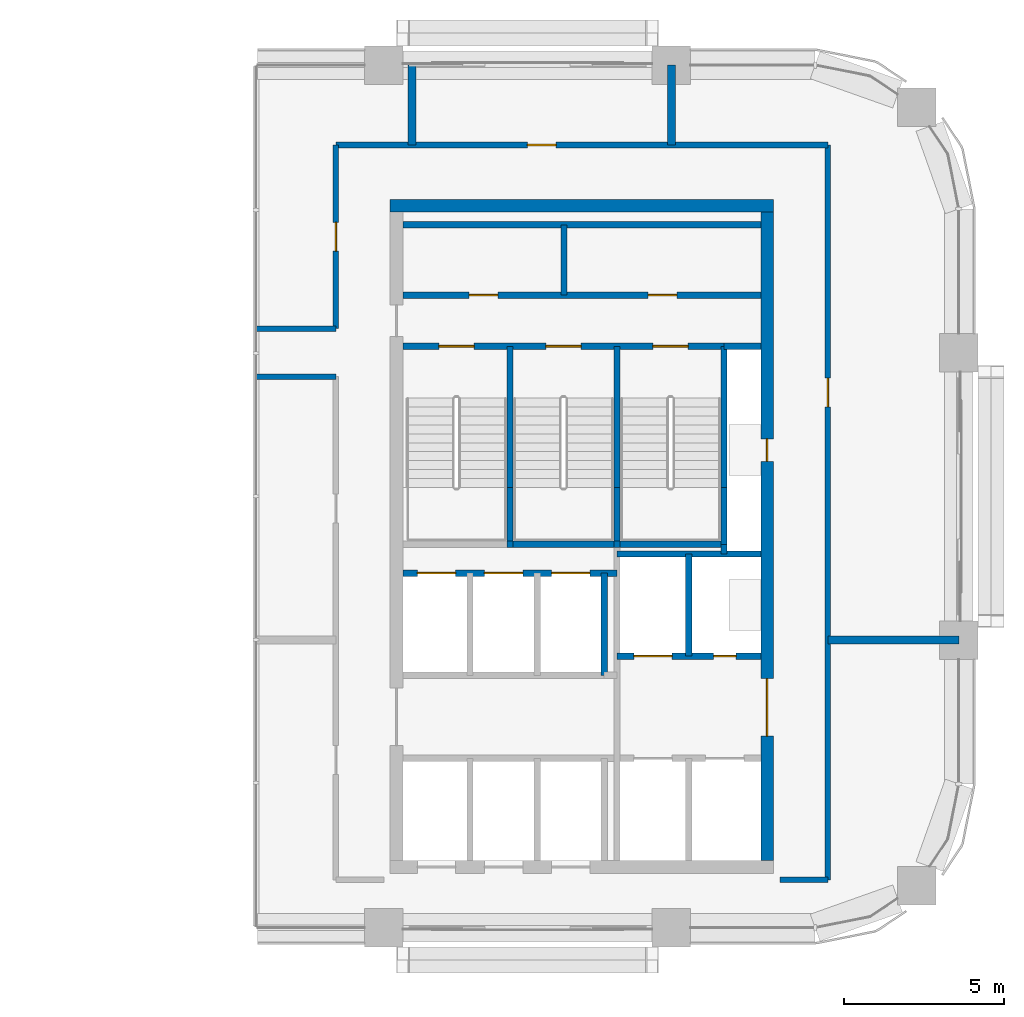
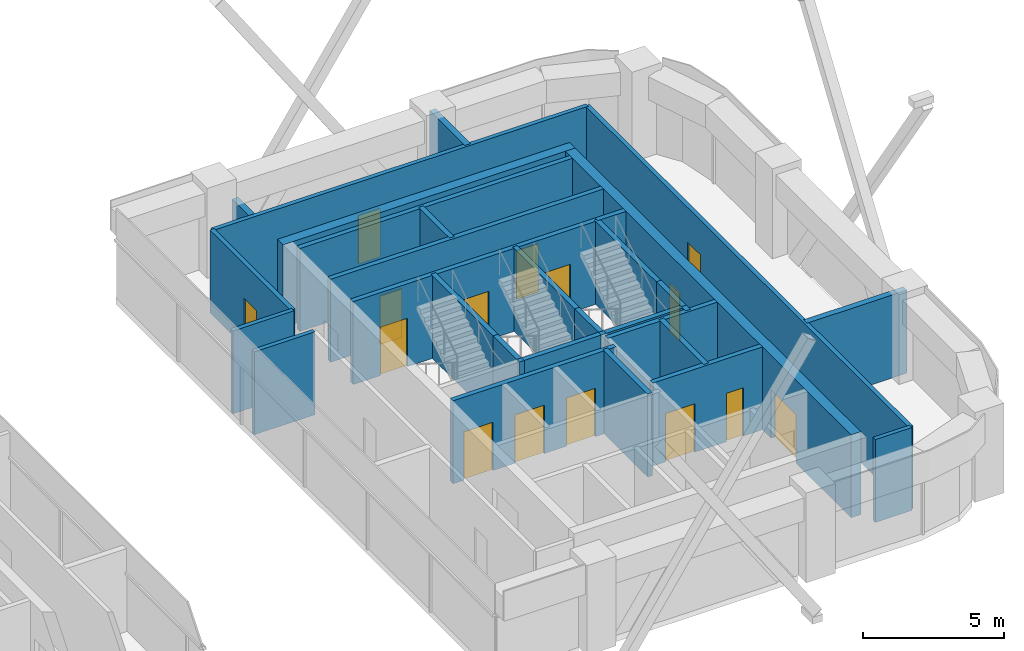
# One storey, part 11 of 14: 32 walls, 15 doors, 15 openings.
"""IFC4 building model written with IfcOpenShell, lengths in metres."""

from ifc_helpers import new_model, si_unit, direction, frame, frame_2d, origin, place, context, subcontext, project, spatial, rectangle, extrude, material, layer, layer_set, type_object, element, fill, save


model = new_model("IFC4")

# Units and contexts
model_context = context("Model", 3, precision=1e-05, world=origin(), true_north=direction((0.0, 1.0)))
body_context = subcontext(model_context, "Body", "Model", "MODEL_VIEW")
ifc_project = project(units=[si_unit("LENGTHUNIT", "METRE"), si_unit("AREAUNIT", "SQUARE_METRE"), si_unit("VOLUMEUNIT", "CUBIC_METRE"), si_unit("PLANEANGLEUNIT", "RADIAN"), si_unit("MASSUNIT", "GRAM", prefix="KILO")], contexts=[model_context])

# Site, building, storey
site_placement = place(None, origin())
site = spatial("IfcSite", under=ifc_project, at=site_placement, CompositionType="ELEMENT")
building_placement = place(site_placement, origin())
building = spatial("IfcBuilding", under=site, at=building_placement, Name="Tessera Arch", CompositionType="ELEMENT")
storey_placement = place(building_placement, frame((0.0, 0.0, 215.0)))
storey = spatial("IfcBuildingStorey", under=building, at=storey_placement, Name="L51", CompositionType="ELEMENT", Elevation=215.0)

# Wall
ifc_material_1 = material(Name="Gypsum board on steel stud", Category="steel")
ifc_layer_1 = layer(ifc_material_1, 0.125)
ifc_layer_set_1 = layer_set([ifc_layer_1], Name="Core partition 125 EI 60")
wall_type_1 = type_object("IfcWallType", Name="Core partition 125 EI 60", PredefinedType="PARTITIONING", material=ifc_layer_set_1)
wall_1_placement = place(storey_placement, frame((41.639892578125, 46.800048828125, 0.0), z_axis=(0.0, 0.0, 1.0), x_axis=(0.0, 1.0, 0.0)))
element("IfcWall", 1, at=wall_1_placement, inside=storey, type_object=wall_type_1, Name="L51 C1 partition wall 7", PredefinedType="PARTITIONING", context=body_context, shape_type="SweptSolid", body=[
    extrude(rectangle(XDim=2.199951171875, YDim=0.199951171875, at=frame_2d((1.10009765625, 0.0))), origin(), (0.0, 0.0, 1.0), 3.60009765625),
])

# Wall, openings, doors
wall_2_placement = place(storey_placement, frame((36.60009765625, 46.800048828125, 0.0), z_axis=(0.0, 0.0, 1.0), x_axis=(1.0, 0.0, 0.0)))
wall_2 = element("IfcWall", 2, at=wall_2_placement, inside=storey, type_object=wall_type_1, Name="L51 C1 partition wall 31", PredefinedType="PARTITIONING", context=body_context, shape_type="SweptSolid", body=[
    extrude(rectangle(XDim=11.199951171875, YDim=0.199951171875, at=frame_2d((5.60009765625, 0.0))), origin(), (0.0, 0.0, 1.0), 3.60009765625),
])
opening_1_placement = place(wall_2_placement, frame((2.070068359375, 0.0, 0.0)))
opening_1 = element("IfcOpeningElement", 3, at=opening_1_placement, cuts=wall_2, Name="Opening L51-C18", PredefinedType="OPENING", context=body_context, shape_type="SweptSolid", body=[
    extrude(rectangle(XDim=0.89990234375, YDim=2.10009765625, at=frame_2d((0.449951171875, 1.050048828125))), frame((0.0, 0.10986328125, 0.0), z_axis=(0.0, -1.0, 0.0), x_axis=(1.0, 0.0, 0.0)), (0.0, 0.0, 1.0), 0.219970703125),
])
opening_2_placement = place(wall_2_placement, frame((7.669921875, 0.0, 0.0)))
opening_2 = element("IfcOpeningElement", 4, at=opening_2_placement, cuts=wall_2, Name="Opening L51-C19", PredefinedType="OPENING", context=body_context, shape_type="SweptSolid", body=[
    extrude(rectangle(XDim=0.89990234375, YDim=2.10009765625, at=frame_2d((0.449951171875, 1.050048828125))), frame((0.0, 0.10986328125, 0.0), z_axis=(0.0, -1.0, 0.0), x_axis=(1.0, 0.0, 0.0)), (0.0, 0.0, 1.0), 0.219970703125),
])
ifc_material_2 = material(Name="Steel door leaf", Category="steel")
door_type_1 = type_object("IfcDoorType", Name="Store door FD30S 900 x 2100", OperationType="SINGLE_SWING_LEFT", PredefinedType="DOOR", material=ifc_material_2)
door_1_placement = place(opening_1_placement, origin())
door_1 = element("IfcDoor", 5, at=door_1_placement, inside=storey, type_object=door_type_1, Name="L51 C1 door 18 C18 type D09", OperationType="SINGLE_SWING_LEFT", OverallHeight=2.10009765625, OverallWidth=0.89990234375, PredefinedType="DOOR", context=body_context, shape_type="SweptSolid", body=[
    extrude(rectangle(XDim=0.89990234375, YDim=2.10009765625, at=frame_2d((0.449951171875, 1.050048828125))), frame((0.0, 0.02490234375, 0.0), z_axis=(0.0, -1.0, 0.0), x_axis=(1.0, 0.0, 0.0)), (0.0, 0.0, 1.0), 0.050048828125),
])
fill(opening_1, door_1)
door_2_placement = place(opening_2_placement, origin())
door_2 = element("IfcDoor", 6, at=door_2_placement, inside=storey, type_object=door_type_1, Name="L51 C1 door 19 C19 type D09", OperationType="SINGLE_SWING_RIGHT", OverallHeight=2.10009765625, OverallWidth=0.89990234375, PredefinedType="DOOR", context=body_context, shape_type="SweptSolid", body=[
    extrude(rectangle(XDim=0.89990234375, YDim=2.10009765625, at=frame_2d((0.449951171875, 1.050048828125))), frame((0.0, 0.02490234375, 0.0), z_axis=(0.0, -1.0, 0.0), x_axis=(1.0, 0.0, 0.0)), (0.0, 0.0, 1.0), 0.050048828125),
])
fill(opening_2, door_2)

# Walls
wall_3_placement = place(storey_placement, frame((36.60009765625, 49.0, 0.0), z_axis=(0.0, 0.0, 1.0), x_axis=(1.0, 0.0, 0.0)))
element("IfcWall", 7, at=wall_3_placement, inside=storey, type_object=wall_type_1, Name="L51 C1 partition wall 32", PredefinedType="PARTITIONING", context=body_context, shape_type="SweptSolid", body=[
    extrude(rectangle(XDim=11.199951171875, YDim=0.199951171875, at=frame_2d((5.60009765625, 0.0))), origin(), (0.0, 0.0, 1.0), 3.60009765625),
])
ifc_material_3 = material(Name="Concrete C50/60", Category="concrete")
ifc_layer_2 = layer(ifc_material_3, 0.39990234375)
ifc_layer_set_2 = layer_set([ifc_layer_2], Name="Core shell wall 400 C50-60")
wall_type_2 = type_object("IfcWallType", Name="Core shell wall 400 C50-60", PredefinedType="SHEAR", material=ifc_layer_set_2)
wall_4_placement = place(storey_placement, frame((36.199951171875, 49.60009765625, 0.0), z_axis=(0.0, 0.0, 1.0), x_axis=(1.0, 0.0, 0.0)))
element("IfcWall", 8, at=wall_4_placement, inside=storey, type_object=wall_type_2, Name="L51 C1 core wall N", PredefinedType="SHEAR", context=body_context, shape_type="SweptSolid", body=[
    extrude(rectangle(XDim=12.0, YDim=0.39990234375, at=frame_2d((6.0, 0.0))), origin(), (0.0, 0.0, 1.0), 3.60009765625),
])

# Wall, openings, doors
wall_5_placement = place(storey_placement, frame((48.0, 29.10009765625, 0.0), z_axis=(0.0, 0.0, 1.0), x_axis=(0.0, 1.0, 0.0)))
wall_5 = element("IfcWall", 9, at=wall_5_placement, inside=storey, type_object=wall_type_2, Name="L51 C1 core wall E", PredefinedType="SHEAR", context=body_context, shape_type="SweptSolid", body=[
    extrude(rectangle(XDim=20.2998046875, YDim=0.39990234375, at=frame_2d((10.14990234375, 0.0))), origin(), (0.0, 0.0, 1.0), 3.60009765625),
])
opening_3_placement = place(wall_5_placement, frame((12.5, 0.0, 0.0)))
opening_3 = element("IfcOpeningElement", 10, at=opening_3_placement, cuts=wall_5, Name="Opening L51-C14", PredefinedType="OPENING", context=body_context, shape_type="SweptSolid", body=[
    extrude(rectangle(XDim=0.699951171875, YDim=2.10009765625, at=frame_2d((0.35009765625, 1.050048828125))), frame((0.0, 0.2099609375, 0.0), z_axis=(0.0, -1.0, 0.0), x_axis=(1.0, 0.0, 0.0)), (0.0, 0.0, 1.0), 0.419921875),
])
opening_4_placement = place(wall_5_placement, frame((3.89990234375, 0.0, 0.0)))
opening_4 = element("IfcOpeningElement", 11, at=opening_4_placement, cuts=wall_5, Name="Opening L51-C15", PredefinedType="OPENING", context=body_context, shape_type="SweptSolid", body=[
    extrude(rectangle(XDim=1.800048828125, YDim=2.10009765625, at=frame_2d((0.89990234375, 1.050048828125))), frame((0.0, 0.2099609375, 0.0), z_axis=(0.0, -1.0, 0.0), x_axis=(1.0, 0.0, 0.0)), (0.0, 0.0, 1.0), 0.419921875),
])
ifc_material_4 = material(Name="Glazed steel door leaf", Category="steel")
door_type_2 = type_object("IfcDoorType", Name="Lobby double door FD60 1800 x 2100", OperationType="DOUBLE_DOOR_SINGLE_SWING", PredefinedType="DOOR", material=ifc_material_4)
door_3_placement = place(opening_4_placement, origin())
door_3 = element("IfcDoor", 12, at=door_3_placement, inside=storey, type_object=door_type_2, Name="L51 C1 door 15 C15 type D19", OperationType="DOUBLE_DOOR_SINGLE_SWING", OverallHeight=2.10009765625, OverallWidth=1.800048828125, PredefinedType="DOOR", context=body_context, shape_type="SweptSolid", body=[
    extrude(rectangle(XDim=1.800048828125, YDim=2.10009765625, at=frame_2d((0.89990234375, 1.050048828125))), frame((0.0, 0.02490234375, 0.0), z_axis=(0.0, -1.0, 0.0), x_axis=(1.0, 0.0, 0.0)), (0.0, 0.0, 1.0), 0.050048828125),
])
fill(opening_4, door_3)
ifc_material_5 = material(Name="Steel door leaf", Category="steel")
door_type_3 = type_object("IfcDoorType", Name="Service shaft door FD60 700 x 2100", OperationType="SINGLE_SWING_LEFT", PredefinedType="DOOR", material=ifc_material_5)
door_4_placement = place(opening_3_placement, origin())
door_4 = element("IfcDoor", 13, at=door_4_placement, inside=storey, type_object=door_type_3, Name="L51 C1 door 14 C14 type D07", OperationType="SINGLE_SWING_RIGHT", OverallHeight=2.10009765625, OverallWidth=0.699951171875, PredefinedType="DOOR", context=body_context, shape_type="SweptSolid", body=[
    extrude(rectangle(XDim=0.699951171875, YDim=2.10009765625, at=frame_2d((0.35009765625, 1.050048828125))), frame((0.0, 0.02490234375, 0.0), z_axis=(0.0, -1.0, 0.0), x_axis=(1.0, 0.0, 0.0)), (0.0, 0.0, 1.0), 0.050048828125),
])
fill(opening_3, door_4)

# Walls
ifc_material_6 = material(Name="Gypsum board on deep steel stud with mineral wool", Category="steel")
ifc_layer_3 = layer(ifc_material_6, 0.175048828125)
ifc_layer_set_3 = layer_set([ifc_layer_3], Name="Corridor wall 175 EI 60")
wall_type_3 = type_object("IfcWallType", Name="Corridor wall 175 EI 60", PredefinedType="PARTITIONING", material=ifc_layer_set_3)
wall_6_placement = place(storey_placement, frame((48.39990234375, 28.5, 0.0), z_axis=(0.0, 0.0, 1.0), x_axis=(1.0, 0.0, 0.0)))
element("IfcWall", 14, at=wall_6_placement, inside=storey, type_object=wall_type_3, Name="L51 partition 4", PredefinedType="PARTITIONING", context=body_context, shape_type="SweptSolid", body=[
    extrude(rectangle(XDim=1.5, YDim=0.175048828125, at=frame_2d((0.75, 0.0))), origin(), (0.0, 0.0, 1.0), 3.60009765625),
])
for number, where, z_axis, x_axis, name in (
    (15, (32.0, 44.25, 0.0), (0.0, 0.0, 1.0), (1.0, 0.0, 0.0), "L51 partition 6"),
    (16, (32.0, 45.75, 0.0), (0.0, 0.0, 1.0), (1.0, 0.0, 0.0), "L51 partition 8"),
):
    element("IfcWall", number, at=place(storey_placement, frame(where, z_axis=z_axis, x_axis=x_axis)), inside=storey, type_object=wall_type_3, Name=name, PredefinedType="PARTITIONING", context=body_context, shape_type="SweptSolid", body=[
        extrude(rectangle(XDim=2.5, YDim=0.175048828125, at=frame_2d((1.25, 0.0))), origin(), (0.0, 0.0, 1.0), 3.60009765625),
    ])

# Wall, opening, door
wall_7_placement = place(storey_placement, frame((34.5, 51.5, 0.0), z_axis=(0.0, 0.0, 1.0), x_axis=(1.0, 0.0, 0.0)))
wall_7 = element("IfcWall", 17, at=wall_7_placement, inside=storey, type_object=wall_type_3, Name="L51 partition 10", PredefinedType="PARTITIONING", context=body_context, shape_type="SweptSolid", body=[
    extrude(rectangle(XDim=15.39990234375, YDim=0.175048828125, at=frame_2d((7.699951171875, 0.0))), origin(), (0.0, 0.0, 1.0), 3.60009765625),
])
opening_5_placement = place(wall_7_placement, frame((5.9951171875, 0.0, 0.0)))
opening_5 = element("IfcOpeningElement", 18, at=opening_5_placement, cuts=wall_7, Name="Opening L51-D010", PredefinedType="OPENING", context=body_context, shape_type="SweptSolid", body=[
    extrude(rectangle(XDim=0.89990234375, YDim=2.10009765625, at=frame_2d((0.449951171875, 1.050048828125))), frame((0.0, 0.097412109375, 0.0), z_axis=(0.0, -1.0, 0.0), x_axis=(1.0, 0.0, 0.0)), (0.0, 0.0, 1.0), 0.195068359375),
])
ifc_material_7 = material(Name="Timber door leaf", Category="wood")
door_type_4 = type_object("IfcDoorType", Name="Room door 900 x 2100", OperationType="SINGLE_SWING_LEFT", PredefinedType="DOOR", material=ifc_material_7)
door_5_placement = place(opening_5_placement, origin())
door_5 = element("IfcDoor", 19, at=door_5_placement, inside=storey, type_object=door_type_4, Name="L51 door D010 type D01", OperationType="SINGLE_SWING_RIGHT", OverallHeight=2.10009765625, OverallWidth=0.89990234375, PredefinedType="DOOR", context=body_context, shape_type="SweptSolid", body=[
    extrude(rectangle(XDim=0.89990234375, YDim=2.10009765625, at=frame_2d((0.449951171875, 1.050048828125))), frame((0.0, 0.02490234375, 0.0), z_axis=(0.0, -1.0, 0.0), x_axis=(1.0, 0.0, 0.0)), (0.0, 0.0, 1.0), 0.050048828125),
])
fill(opening_5, door_5)

wall_8_placement = place(storey_placement, frame((34.5, 45.75, 0.0), z_axis=(0.0, 0.0, 1.0), x_axis=(0.0, 1.0, 0.0)))
wall_8 = element("IfcWall", 20, at=wall_8_placement, inside=storey, type_object=wall_type_3, Name="L51 partition 15", PredefinedType="PARTITIONING", context=body_context, shape_type="SweptSolid", body=[
    extrude(rectangle(XDim=5.75, YDim=0.175048828125, at=frame_2d((2.875, 0.0))), origin(), (0.0, 0.0, 1.0), 3.60009765625),
])
opening_6_placement = place(wall_8_placement, frame((2.425048828125, 0.0, 0.0)))
opening_6 = element("IfcOpeningElement", 21, at=opening_6_placement, cuts=wall_8, Name="Opening L51-D008", PredefinedType="OPENING", context=body_context, shape_type="SweptSolid", body=[
    extrude(rectangle(XDim=0.89990234375, YDim=2.10009765625, at=frame_2d((0.449951171875, 1.050048828125))), frame((0.0, 0.097412109375, 0.0), z_axis=(0.0, -1.0, 0.0), x_axis=(1.0, 0.0, 0.0)), (0.0, 0.0, 1.0), 0.195068359375),
])
door_6_placement = place(opening_6_placement, origin())
door_6 = element("IfcDoor", 22, at=door_6_placement, inside=storey, type_object=door_type_4, Name="L51 door D008 type D01", OperationType="SINGLE_SWING_RIGHT", OverallHeight=2.10009765625, OverallWidth=0.89990234375, PredefinedType="DOOR", context=body_context, shape_type="SweptSolid", body=[
    extrude(rectangle(XDim=0.89990234375, YDim=2.10009765625, at=frame_2d((0.449951171875, 1.050048828125))), frame((0.0, 0.02490234375, 0.0), z_axis=(0.0, -1.0, 0.0), x_axis=(1.0, 0.0, 0.0)), (0.0, 0.0, 1.0), 0.050048828125),
])
fill(opening_6, door_6)

wall_9_placement = place(storey_placement, frame((49.89990234375, 28.5, 0.0), z_axis=(0.0, 0.0, 1.0), x_axis=(0.0, 1.0, 0.0)))
wall_9 = element("IfcWall", 23, at=wall_9_placement, inside=storey, type_object=wall_type_3, Name="L51 partition 16", PredefinedType="PARTITIONING", context=body_context, shape_type="SweptSolid", body=[
    extrude(rectangle(XDim=23.0, YDim=0.175048828125, at=frame_2d((11.5, 0.0))), origin(), (0.0, 0.0, 1.0), 3.60009765625),
])
opening_7_placement = place(wall_9_placement, frame((14.800048828125, 0.0, 0.0)))
opening_7 = element("IfcOpeningElement", 24, at=opening_7_placement, cuts=wall_9, Name="Opening L51-D006", PredefinedType="OPENING", context=body_context, shape_type="SweptSolid", body=[
    extrude(rectangle(XDim=0.89990234375, YDim=2.10009765625, at=frame_2d((0.449951171875, 1.050048828125))), frame((0.0, 0.097412109375, 0.0), z_axis=(0.0, -1.0, 0.0), x_axis=(1.0, 0.0, 0.0)), (0.0, 0.0, 1.0), 0.195068359375),
])
door_7_placement = place(opening_7_placement, origin())
door_7 = element("IfcDoor", 25, at=door_7_placement, inside=storey, type_object=door_type_4, Name="L51 door D006 type D01", OperationType="SINGLE_SWING_LEFT", OverallHeight=2.10009765625, OverallWidth=0.89990234375, PredefinedType="DOOR", context=body_context, shape_type="SweptSolid", body=[
    extrude(rectangle(XDim=0.89990234375, YDim=2.10009765625, at=frame_2d((0.449951171875, 1.050048828125))), frame((0.0, 0.02490234375, 0.0), z_axis=(0.0, -1.0, 0.0), x_axis=(1.0, 0.0, 0.0)), (0.0, 0.0, 1.0), 0.050048828125),
])
fill(opening_7, door_7)

# Walls
ifc_material_8 = material(Name="Double gypsum board on twin steel stud with acoustic mineral wool", Category="steel")
ifc_layer_4 = layer(ifc_material_8, 0.25)
ifc_layer_set_4 = layer_set([ifc_layer_4], Name="Party wall 250 EI 60")
wall_type_4 = type_object("IfcWallType", Name="Party wall 250 EI 60", PredefinedType="PARTITIONING", material=ifc_layer_set_4)
wall_10_placement = place(storey_placement, frame((49.89990234375, 36.0, 0.0), z_axis=(0.0, 0.0, 1.0), x_axis=(1.0, 0.0, 0.0)))
element("IfcWall", 26, at=wall_10_placement, inside=storey, type_object=wall_type_4, Name="L51 partition 20", PredefinedType="PARTITIONING", context=body_context, shape_type="SweptSolid", body=[
    extrude(rectangle(XDim=4.10009765625, YDim=0.25, at=frame_2d((2.050048828125, 0.0))), origin(), (0.0, 0.0, 1.0), 3.60009765625),
])
wall_11_placement = place(storey_placement, frame((36.889892578125, 51.5, 0.0), z_axis=(0.0, 0.0, 1.0), x_axis=(0.0, 1.0, 0.0)))
element("IfcWall", 27, at=wall_11_placement, inside=storey, type_object=wall_type_4, Name="L51 partition 23", PredefinedType="PARTITIONING", context=body_context, shape_type="SweptSolid", body=[
    extrude(rectangle(XDim=2.5, YDim=0.25, at=frame_2d((1.25, 0.0))), origin(), (0.0, 0.0, 1.0), 2.60009765625),
])
wall_12_placement = place(storey_placement, frame((45.0, 51.5, 0.0), z_axis=(0.0, 0.0, 1.0), x_axis=(0.0, 1.0, 0.0)))
element("IfcWall", 28, at=wall_12_placement, inside=storey, type_object=wall_type_4, Name="L51 partition 24", PredefinedType="PARTITIONING", context=body_context, shape_type="SweptSolid", body=[
    extrude(rectangle(XDim=2.5, YDim=0.25, at=frame_2d((1.25, 0.0))), origin(), (0.0, 0.0, 1.0), 3.60009765625),
])
ifc_material_9 = material(Name="Concrete C40/50", Category="concrete")
ifc_layer_5 = layer(ifc_material_9, 0.199951171875)
ifc_layer_set_5 = layer_set([ifc_layer_5], Name="Shaft wall 200 EI 120")
wall_type_5 = type_object("IfcWallType", Name="Shaft wall 200 EI 120", PredefinedType="SOLIDWALL", material=ifc_layer_set_5)
wall_13_placement = place(storey_placement, frame((42.89990234375, 34.89990234375, 0.0), z_axis=(0.0, 0.0, 1.0), x_axis=(0.0, 1.0, 0.0)))
element("IfcWall", 29, at=wall_13_placement, inside=storey, type_object=wall_type_5, Name="L51 C1 shaft wall 9", PredefinedType="SOLIDWALL", context=body_context, shape_type="SweptSolid", body=[
    extrude(rectangle(XDim=3.2001953125, YDim=0.199951171875, at=frame_2d((1.60009765625, 0.0))), origin(), (0.0, 0.0, 1.0), 3.60009765625),
])
wall_14_placement = place(storey_placement, frame((45.550048828125, 35.5, 0.0), z_axis=(0.0, 0.0, 1.0), x_axis=(0.0, 1.0, 0.0)))
element("IfcWall", 30, at=wall_14_placement, inside=storey, type_object=wall_type_5, Name="L51 C1 shaft wall 14", PredefinedType="SOLIDWALL", context=body_context, shape_type="SweptSolid", body=[
    extrude(rectangle(XDim=3.199951171875, YDim=0.199951171875, at=frame_2d((1.60009765625, 0.0))), origin(), (0.0, 0.0, 1.0), 3.60009765625),
])
wall_15_placement = place(storey_placement, frame((46.64990234375, 38.699951171875, 0.0), z_axis=(0.0, 0.0, 1.0), x_axis=(0.0, 1.0, 0.0)))
element("IfcWall", 31, at=wall_15_placement, inside=storey, type_object=wall_type_5, Name="L51 C1 shaft wall 15", PredefinedType="SOLIDWALL", context=body_context, shape_type="SweptSolid", body=[
    extrude(rectangle(XDim=0.300048828125, YDim=0.199951171875, at=frame_2d((0.14990234375, 0.0))), origin(), (0.0, 0.0, 1.0), 3.60009765625),
])

# Wall, openings, doors
wall_16_placement = place(storey_placement, frame((43.300048828125, 35.5, 0.0), z_axis=(0.0, 0.0, 1.0), x_axis=(1.0, 0.0, 0.0)))
wall_16 = element("IfcWall", 32, at=wall_16_placement, inside=storey, type_object=wall_type_5, Name="L51 C1 shaft wall 21", PredefinedType="SOLIDWALL", context=body_context, shape_type="SweptSolid", body=[
    extrude(rectangle(XDim=4.5, YDim=0.199951171875, at=frame_2d((2.25, 0.0))), origin(), (0.0, 0.0, 1.0), 3.60009765625),
])
opening_8_placement = place(wall_16_placement, frame((0.52490234375, 0.0, 0.0)))
opening_8 = element("IfcOpeningElement", 33, at=opening_8_placement, cuts=wall_16, Name="Opening L51-C09", PredefinedType="OPENING", context=body_context, shape_type="SweptSolid", body=[
    extrude(rectangle(XDim=1.199951171875, YDim=2.10009765625, at=frame_2d((0.60009765625, 1.050048828125))), frame((0.0, 0.10986328125, 0.0), z_axis=(0.0, -1.0, 0.0), x_axis=(1.0, 0.0, 0.0)), (0.0, 0.0, 1.0), 0.219970703125),
])
opening_9_placement = place(wall_16_placement, frame((3.02490234375, 0.0, 0.0)))
opening_9 = element("IfcOpeningElement", 34, at=opening_9_placement, cuts=wall_16, Name="Opening L51-C16", PredefinedType="OPENING", context=body_context, shape_type="SweptSolid", body=[
    extrude(rectangle(XDim=0.699951171875, YDim=2.10009765625, at=frame_2d((0.35009765625, 1.050048828125))), frame((0.0, 0.10986328125, 0.0), z_axis=(0.0, -1.0, 0.0), x_axis=(1.0, 0.0, 0.0)), (0.0, 0.0, 1.0), 0.219970703125),
])
door_8_placement = place(opening_9_placement, origin())
door_8 = element("IfcDoor", 35, at=door_8_placement, inside=storey, type_object=door_type_3, Name="L51 C1 door 16 C16 type D07", OperationType="SINGLE_SWING_RIGHT", OverallHeight=2.10009765625, OverallWidth=0.699951171875, PredefinedType="DOOR", context=body_context, shape_type="SweptSolid", body=[
    extrude(rectangle(XDim=0.699951171875, YDim=2.10009765625, at=frame_2d((0.35009765625, 1.050048828125))), frame((0.0, 0.02490234375, 0.0), z_axis=(0.0, -1.0, 0.0), x_axis=(1.0, 0.0, 0.0)), (0.0, 0.0, 1.0), 0.050048828125),
])
fill(opening_9, door_8)
ifc_material_10 = material(Name="Stainless steel AISI 304", Category="steel")
door_type_5 = type_object("IfcDoorType", Name="Sliding landing door 1200 x 2100", OperationType="SLIDING_TO_LEFT", PredefinedType="DOOR", material=ifc_material_10)
door_9_placement = place(opening_8_placement, origin())
door_9 = element("IfcDoor", 36, at=door_9_placement, inside=storey, type_object=door_type_5, Name="L51 SV2 lift landing door C09 type LD", OperationType="SLIDING_TO_LEFT", OverallHeight=2.10009765625, OverallWidth=1.199951171875, PredefinedType="DOOR", context=body_context, shape_type="SweptSolid", body=[
    extrude(rectangle(XDim=1.199951171875, YDim=2.10009765625, at=frame_2d((0.60009765625, 1.050048828125))), frame((0.0, 0.02490234375, 0.0), z_axis=(0.0, -1.0, 0.0), x_axis=(1.0, 0.0, 0.0)), (0.0, 0.0, 1.0), 0.050048828125),
])
fill(opening_8, door_9)

wall_17_placement = place(storey_placement, frame((36.60009765625, 38.10009765625, 0.0), z_axis=(0.0, 0.0, 1.0), x_axis=(1.0, 0.0, 0.0)))
wall_17 = element("IfcWall", 37, at=wall_17_placement, inside=storey, type_object=wall_type_5, Name="L51 C1 shaft wall 22", PredefinedType="SOLIDWALL", context=body_context, shape_type="SweptSolid", body=[
    extrude(rectangle(XDim=6.699951171875, YDim=0.199951171875, at=frame_2d((3.35009765625, 0.0))), origin(), (0.0, 0.0, 1.0), 3.60009765625),
])
opening_10_placement = place(wall_17_placement, frame((0.449951171875, 0.0, 0.0)))
opening_10 = element("IfcOpeningElement", 38, at=opening_10_placement, cuts=wall_17, Name="Opening L51-C02", PredefinedType="OPENING", context=body_context, shape_type="SweptSolid", body=[
    extrude(rectangle(XDim=1.199951171875, YDim=2.10009765625, at=frame_2d((0.60009765625, 1.050048828125))), frame((0.0, 0.10986328125, 0.0), z_axis=(0.0, -1.0, 0.0), x_axis=(1.0, 0.0, 0.0)), (0.0, 0.0, 1.0), 0.219970703125),
])
opening_11_placement = place(wall_17_placement, frame((2.550048828125, 0.0, 0.0)))
opening_11 = element("IfcOpeningElement", 39, at=opening_11_placement, cuts=wall_17, Name="Opening L51-C04", PredefinedType="OPENING", context=body_context, shape_type="SweptSolid", body=[
    extrude(rectangle(XDim=1.199951171875, YDim=2.10009765625, at=frame_2d((0.60009765625, 1.050048828125))), frame((0.0, 0.10986328125, 0.0), z_axis=(0.0, -1.0, 0.0), x_axis=(1.0, 0.0, 0.0)), (0.0, 0.0, 1.0), 0.219970703125),
])
opening_12_placement = place(wall_17_placement, frame((4.64990234375, 0.0, 0.0)))
opening_12 = element("IfcOpeningElement", 40, at=opening_12_placement, cuts=wall_17, Name="Opening L51-C06", PredefinedType="OPENING", context=body_context, shape_type="SweptSolid", body=[
    extrude(rectangle(XDim=1.199951171875, YDim=2.10009765625, at=frame_2d((0.60009765625, 1.050048828125))), frame((0.0, 0.10986328125, 0.0), z_axis=(0.0, -1.0, 0.0), x_axis=(1.0, 0.0, 0.0)), (0.0, 0.0, 1.0), 0.219970703125),
])
door_10_placement = place(opening_10_placement, origin())
door_10 = element("IfcDoor", 41, at=door_10_placement, inside=storey, type_object=door_type_5, Name="L51 HR4 lift landing door C02 type LD", OperationType="SLIDING_TO_LEFT", OverallHeight=2.10009765625, OverallWidth=1.199951171875, PredefinedType="DOOR", context=body_context, shape_type="SweptSolid", body=[
    extrude(rectangle(XDim=1.199951171875, YDim=2.10009765625, at=frame_2d((0.60009765625, 1.050048828125))), frame((0.0, 0.02490234375, 0.0), z_axis=(0.0, -1.0, 0.0), x_axis=(1.0, 0.0, 0.0)), (0.0, 0.0, 1.0), 0.050048828125),
])
fill(opening_10, door_10)
door_11_placement = place(opening_11_placement, origin())
door_11 = element("IfcDoor", 42, at=door_11_placement, inside=storey, type_object=door_type_5, Name="L51 HR5 lift landing door C04 type LD", OperationType="SLIDING_TO_LEFT", OverallHeight=2.10009765625, OverallWidth=1.199951171875, PredefinedType="DOOR", context=body_context, shape_type="SweptSolid", body=[
    extrude(rectangle(XDim=1.199951171875, YDim=2.10009765625, at=frame_2d((0.60009765625, 1.050048828125))), frame((0.0, 0.02490234375, 0.0), z_axis=(0.0, -1.0, 0.0), x_axis=(1.0, 0.0, 0.0)), (0.0, 0.0, 1.0), 0.050048828125),
])
fill(opening_11, door_11)
door_12_placement = place(opening_12_placement, origin())
door_12 = element("IfcDoor", 43, at=door_12_placement, inside=storey, type_object=door_type_5, Name="L51 HR6 lift landing door C06 type LD", OperationType="SLIDING_TO_LEFT", OverallHeight=2.10009765625, OverallWidth=1.199951171875, PredefinedType="DOOR", context=body_context, shape_type="SweptSolid", body=[
    extrude(rectangle(XDim=1.199951171875, YDim=2.10009765625, at=frame_2d((0.60009765625, 1.050048828125))), frame((0.0, 0.02490234375, 0.0), z_axis=(0.0, -1.0, 0.0), x_axis=(1.0, 0.0, 0.0)), (0.0, 0.0, 1.0), 0.050048828125),
])
fill(opening_12, door_12)

# Walls
wall_18_placement = place(storey_placement, frame((43.300048828125, 38.699951171875, 0.0), z_axis=(0.0, 0.0, 1.0), x_axis=(1.0, 0.0, 0.0)))
element("IfcWall", 44, at=wall_18_placement, inside=storey, type_object=wall_type_5, Name="L51 C1 shaft wall 23", PredefinedType="SOLIDWALL", context=body_context, shape_type="SweptSolid", body=[
    extrude(rectangle(XDim=4.5, YDim=0.199951171875, at=frame_2d((2.25, 0.0))), origin(), (0.0, 0.0, 1.0), 3.60009765625),
])
wall_19_placement = place(storey_placement, frame((46.64990234375, 45.199951171875, 0.0), z_axis=(0.0, 0.0, 1.0), x_axis=(1.0, 0.0, 0.0)))
element("IfcWall", 45, at=wall_19_placement, inside=storey, type_object=wall_type_5, Name="L51 C1 shaft wall 29", PredefinedType="SOLIDWALL", context=body_context, shape_type="SweptSolid", body=[
    extrude(rectangle(XDim=1.150146484375, YDim=0.199951171875, at=frame_2d((0.5751953125, 0.0))), origin(), (0.0, 0.0, 1.0), 3.60009765625),
])
ifc_material_11 = material(Name="Concrete C40/50", Category="concrete")
ifc_layer_6 = layer(ifc_material_11, 0.199951171875)
ifc_layer_set_6 = layer_set([ifc_layer_6], Name="Stair well wall 200 REI 180")
wall_type_6 = type_object("IfcWallType", Name="Stair well wall 200 REI 180", PredefinedType="SOLIDWALL", material=ifc_layer_set_6)
wall_20_placement = place(storey_placement, frame((39.949951171875, 39.0, 0.0), z_axis=(0.0, 0.0, 1.0), x_axis=(0.0, 1.0, 0.0)))
element("IfcWall", 46, at=wall_20_placement, inside=storey, type_object=wall_type_6, Name="L51 C1 shaft wall 3", PredefinedType="SOLIDWALL", context=body_context, shape_type="SweptSolid", body=[
    extrude(rectangle(XDim=1.780029296875, YDim=0.199951171875, at=frame_2d((0.89013671875, 0.0))), origin(), (0.0, 0.0, 1.0), 3.60009765625),
])
wall_21_placement = place(storey_placement, frame((39.949951171875, 40.780029296875, 0.0), z_axis=(0.0, 0.0, 1.0), x_axis=(0.0, 1.0, 0.0)))
element("IfcWall", 47, at=wall_21_placement, inside=storey, type_object=wall_type_6, Name="L51 C1 shaft wall 4", PredefinedType="SOLIDWALL", context=body_context, shape_type="SweptSolid", body=[
    extrude(rectangle(XDim=4.419921875, YDim=0.199951171875, at=frame_2d((2.2099609375, 0.0))), origin(), (0.0, 0.0, 1.0), 3.60009765625),
])
wall_22_placement = place(storey_placement, frame((43.300048828125, 39.0, 0.0), z_axis=(0.0, 0.0, 1.0), x_axis=(0.0, 1.0, 0.0)))
element("IfcWall", 48, at=wall_22_placement, inside=storey, type_object=wall_type_6, Name="L51 C1 shaft wall 11", PredefinedType="SOLIDWALL", context=body_context, shape_type="SweptSolid", body=[
    extrude(rectangle(XDim=1.780029296875, YDim=0.199951171875, at=frame_2d((0.89013671875, 0.0))), origin(), (0.0, 0.0, 1.0), 3.60009765625),
])
wall_23_placement = place(storey_placement, frame((43.300048828125, 40.780029296875, 0.0), z_axis=(0.0, 0.0, 1.0), x_axis=(0.0, 1.0, 0.0)))
element("IfcWall", 49, at=wall_23_placement, inside=storey, type_object=wall_type_6, Name="L51 C1 shaft wall 12", PredefinedType="SOLIDWALL", context=body_context, shape_type="SweptSolid", body=[
    extrude(rectangle(XDim=4.419921875, YDim=0.199951171875, at=frame_2d((2.2099609375, 0.0))), origin(), (0.0, 0.0, 1.0), 3.60009765625),
])
wall_24_placement = place(storey_placement, frame((46.64990234375, 39.0, 0.0), z_axis=(0.0, 0.0, 1.0), x_axis=(0.0, 1.0, 0.0)))
element("IfcWall", 50, at=wall_24_placement, inside=storey, type_object=wall_type_6, Name="L51 C1 shaft wall 16", PredefinedType="SOLIDWALL", context=body_context, shape_type="SweptSolid", body=[
    extrude(rectangle(XDim=1.780029296875, YDim=0.199951171875, at=frame_2d((0.89013671875, 0.0))), origin(), (0.0, 0.0, 1.0), 3.60009765625),
])
wall_25_placement = place(storey_placement, frame((46.64990234375, 40.780029296875, 0.0), z_axis=(0.0, 0.0, 1.0), x_axis=(0.0, 1.0, 0.0)))
element("IfcWall", 51, at=wall_25_placement, inside=storey, type_object=wall_type_6, Name="L51 C1 shaft wall 17", PredefinedType="SOLIDWALL", context=body_context, shape_type="SweptSolid", body=[
    extrude(rectangle(XDim=4.419921875, YDim=0.199951171875, at=frame_2d((2.2099609375, 0.0))), origin(), (0.0, 0.0, 1.0), 3.60009765625),
])
wall_26_placement = place(storey_placement, frame((39.85009765625, 39.0, 0.0), z_axis=(0.0, 0.0, 1.0), x_axis=(1.0, 0.0, 0.0)))
element("IfcWall", 52, at=wall_26_placement, inside=storey, type_object=wall_type_6, Name="L51 C1 shaft wall 25", PredefinedType="SOLIDWALL", context=body_context, shape_type="SweptSolid", body=[
    extrude(rectangle(XDim=0.199951171875, YDim=0.199951171875, at=frame_2d((0.10009765625, 0.0))), origin(), (0.0, 0.0, 1.0), 3.60009765625),
])
wall_27_placement = place(storey_placement, frame((40.050048828125, 39.0, 0.0), z_axis=(0.0, 0.0, 1.0), x_axis=(1.0, 0.0, 0.0)))
element("IfcWall", 53, at=wall_27_placement, inside=storey, type_object=wall_type_6, Name="L51 C1 shaft wall 26", PredefinedType="SOLIDWALL", context=body_context, shape_type="SweptSolid", body=[
    extrude(rectangle(XDim=3.14990234375, YDim=0.199951171875, at=frame_2d((1.574951171875, 0.0))), origin(), (0.0, 0.0, 1.0), 3.60009765625),
])
wall_28_placement = place(storey_placement, frame((43.199951171875, 39.0, 0.0), z_axis=(0.0, 0.0, 1.0), x_axis=(1.0, 0.0, 0.0)))
element("IfcWall", 54, at=wall_28_placement, inside=storey, type_object=wall_type_6, Name="L51 C1 shaft wall 27", PredefinedType="SOLIDWALL", context=body_context, shape_type="SweptSolid", body=[
    extrude(rectangle(XDim=0.199951171875, YDim=0.199951171875, at=frame_2d((0.10009765625, 0.0))), origin(), (0.0, 0.0, 1.0), 3.60009765625),
])
wall_29_placement = place(storey_placement, frame((43.39990234375, 39.0, 0.0), z_axis=(0.0, 0.0, 1.0), x_axis=(1.0, 0.0, 0.0)))
element("IfcWall", 55, at=wall_29_placement, inside=storey, type_object=wall_type_6, Name="L51 C1 shaft wall 28", PredefinedType="SOLIDWALL", context=body_context, shape_type="SweptSolid", body=[
    extrude(rectangle(XDim=3.25, YDim=0.199951171875, at=frame_2d((1.625, 0.0))), origin(), (0.0, 0.0, 1.0), 3.60009765625),
])

# Wall, openings, doors
wall_30_placement = place(storey_placement, frame((36.60009765625, 45.199951171875, 0.0), z_axis=(0.0, 0.0, 1.0), x_axis=(1.0, 0.0, 0.0)))
wall_30 = element("IfcWall", 56, at=wall_30_placement, inside=storey, type_object=wall_type_6, Name="L51 C1 shaft wall 30", PredefinedType="SOLIDWALL", context=body_context, shape_type="SweptSolid", body=[
    extrude(rectangle(XDim=10.0498046875, YDim=0.199951171875, at=frame_2d((5.02490234375, 0.0))), origin(), (0.0, 0.0, 1.0), 3.60009765625),
])
opening_13_placement = place(wall_30_placement, frame((1.125, 0.0, 0.0)))
opening_13 = element("IfcOpeningElement", 57, at=opening_13_placement, cuts=wall_30, Name="Opening L51-C11", PredefinedType="OPENING", context=body_context, shape_type="SweptSolid", body=[
    extrude(rectangle(XDim=1.10009765625, YDim=2.10009765625, at=frame_2d((0.550048828125, 1.050048828125))), frame((0.0, 0.10986328125, 0.0), z_axis=(0.0, -1.0, 0.0), x_axis=(1.0, 0.0, 0.0)), (0.0, 0.0, 1.0), 0.219970703125),
])
opening_14_placement = place(wall_30_placement, frame((4.47509765625, 0.0, 0.0)))
opening_14 = element("IfcOpeningElement", 58, at=opening_14_placement, cuts=wall_30, Name="Opening L51-C12", PredefinedType="OPENING", context=body_context, shape_type="SweptSolid", body=[
    extrude(rectangle(XDim=1.10009765625, YDim=2.10009765625, at=frame_2d((0.550048828125, 1.050048828125))), frame((0.0, 0.10986328125, 0.0), z_axis=(0.0, -1.0, 0.0), x_axis=(1.0, 0.0, 0.0)), (0.0, 0.0, 1.0), 0.219970703125),
])
opening_15_placement = place(wall_30_placement, frame((7.824951171875, 0.0, 0.0)))
opening_15 = element("IfcOpeningElement", 59, at=opening_15_placement, cuts=wall_30, Name="Opening L51-C13", PredefinedType="OPENING", context=body_context, shape_type="SweptSolid", body=[
    extrude(rectangle(XDim=1.10009765625, YDim=2.10009765625, at=frame_2d((0.550048828125, 1.050048828125))), frame((0.0, 0.10986328125, 0.0), z_axis=(0.0, -1.0, 0.0), x_axis=(1.0, 0.0, 0.0)), (0.0, 0.0, 1.0), 0.219970703125),
])
ifc_material_12 = material(Name="Steel door leaf", Category="steel")
door_type_6 = type_object("IfcDoorType", Name="Stair door FD60 1100 x 2100", OperationType="SINGLE_SWING_LEFT", PredefinedType="DOOR", material=ifc_material_12)
door_13_placement = place(opening_13_placement, origin())
door_13 = element("IfcDoor", 60, at=door_13_placement, inside=storey, type_object=door_type_6, Name="L51 C1 door 11 C11 type D05", OperationType="SINGLE_SWING_LEFT", OverallHeight=2.10009765625, OverallWidth=1.10009765625, PredefinedType="DOOR", context=body_context, shape_type="SweptSolid", body=[
    extrude(rectangle(XDim=1.10009765625, YDim=2.10009765625, at=frame_2d((0.550048828125, 1.050048828125))), frame((0.0, 0.02490234375, 0.0), z_axis=(0.0, -1.0, 0.0), x_axis=(1.0, 0.0, 0.0)), (0.0, 0.0, 1.0), 0.050048828125),
])
fill(opening_13, door_13)
door_14_placement = place(opening_14_placement, origin())
door_14 = element("IfcDoor", 61, at=door_14_placement, inside=storey, type_object=door_type_6, Name="L51 C1 door 12 C12 type D05", OperationType="SINGLE_SWING_RIGHT", OverallHeight=2.10009765625, OverallWidth=1.10009765625, PredefinedType="DOOR", context=body_context, shape_type="SweptSolid", body=[
    extrude(rectangle(XDim=1.10009765625, YDim=2.10009765625, at=frame_2d((0.550048828125, 1.050048828125))), frame((0.0, 0.02490234375, 0.0), z_axis=(0.0, -1.0, 0.0), x_axis=(1.0, 0.0, 0.0)), (0.0, 0.0, 1.0), 0.050048828125),
])
fill(opening_14, door_14)
door_15_placement = place(opening_15_placement, origin())
door_15 = element("IfcDoor", 62, at=door_15_placement, inside=storey, type_object=door_type_6, Name="L51 C1 door 13 C13 type D05", OperationType="SINGLE_SWING_RIGHT", OverallHeight=2.10009765625, OverallWidth=1.10009765625, PredefinedType="DOOR", context=body_context, shape_type="SweptSolid", body=[
    extrude(rectangle(XDim=1.10009765625, YDim=2.10009765625, at=frame_2d((0.550048828125, 1.050048828125))), frame((0.0, 0.02490234375, 0.0), z_axis=(0.0, -1.0, 0.0), x_axis=(1.0, 0.0, 0.0)), (0.0, 0.0, 1.0), 0.050048828125),
])
fill(opening_15, door_15)

save(model, "model.ifc")
